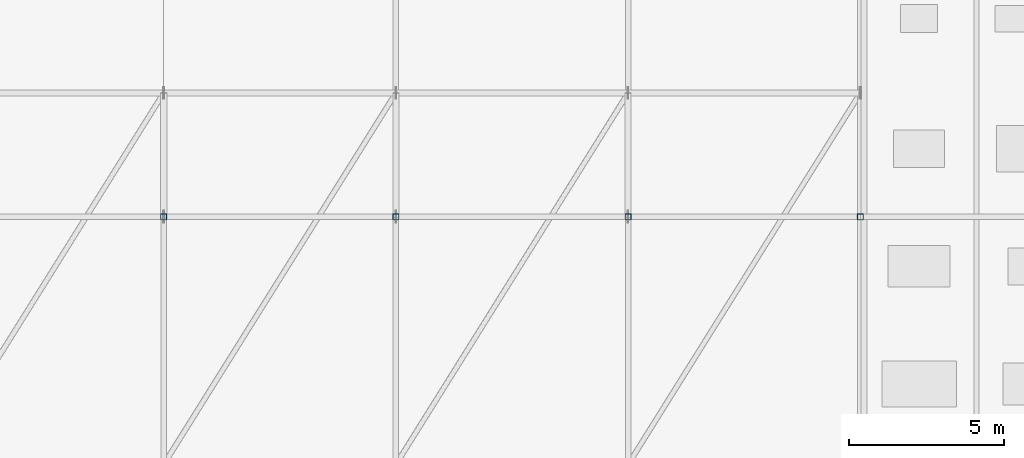
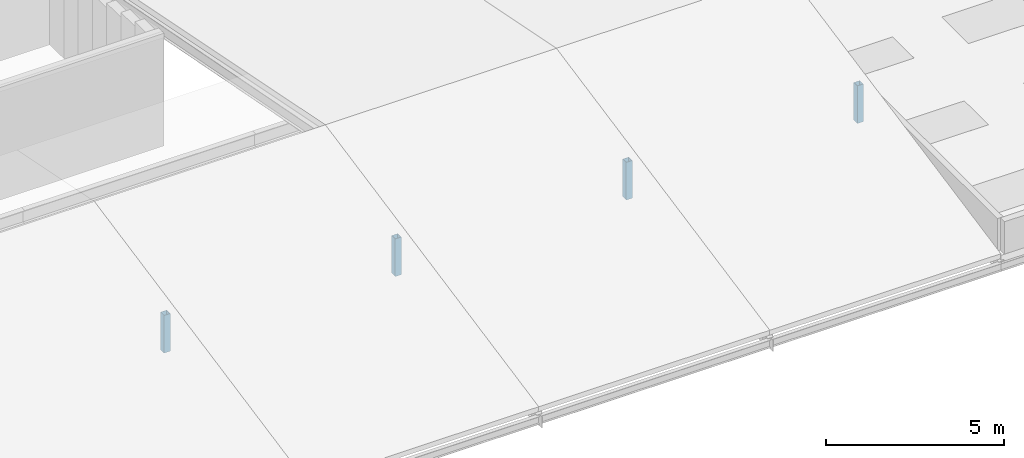
# One storey, part 8 of 93: 4 columns.
"""IFC4 building model written with IfcOpenShell, lengths in metres."""

from ifc_helpers import new_model, si_unit, direction, frame, origin, origin_2d, place, context, subcontext, project, spatial, hollow_rectangle, extrude, material, material_profile, profile_set, type_object, element, save


model = new_model("IFC4")

# Units and contexts
model_context = context("Model", 3, precision=1e-05, world=origin(), true_north=direction((0.0, 1.0)))
body_context = subcontext(model_context, "Body", "Model", "MODEL_VIEW")
ifc_project = project(units=[si_unit("LENGTHUNIT", "METRE"), si_unit("AREAUNIT", "SQUARE_METRE"), si_unit("VOLUMEUNIT", "CUBIC_METRE"), si_unit("PLANEANGLEUNIT", "RADIAN"), si_unit("MASSUNIT", "GRAM", prefix="KILO")], contexts=[model_context])

# Site, building, storey
site_placement = place(None, origin())
site = spatial("IfcSite", under=ifc_project, at=site_placement, CompositionType="ELEMENT")
building_placement = place(site_placement, origin())
building = spatial("IfcBuilding", under=site, at=building_placement, Name="Vourika Railside Aquatics Centre", CompositionType="ELEMENT")
storey_placement = place(building_placement, frame((0.0, 0.0, 21.89990234375)))
storey = spatial("IfcBuildingStorey", under=building, at=storey_placement, Name="Roof", CompositionType="ELEMENT", Elevation=21.89990234375)

# Columns
ifc_material = material(Name="Steel S355J2", Category="steel")
ifc_material_profile = material_profile(ifc_material, hollow_rectangle(XDim=0.199951171875, YDim=0.199951171875, WallThickness=0.010009765625, at=origin_2d()), Name="SHS 200x200x10")
ifc_profile_set = profile_set([ifc_material_profile], Name="Steel S355J2")
column_type = type_object("IfcColumnType", Name="COL-STL-SHS200", PredefinedType="COLUMN", material=ifc_profile_set)
for number, where, z_axis, x_axis, name in (
    (1, (51.0, 100.0, -0.239990234375), (0.0, 0.0, 1.0), (1.0, 0.0, 0.0), "Fitness Roof King Post V5KP-51.0"),
    (2, (58.5, 100.0, -0.239990234375), (0.0, 0.0, 1.0), (1.0, 0.0, 0.0), "Fitness Roof King Post V5KP-58.5"),
    (3, (66.0, 100.0, -0.239990234375), (0.0, 0.0, 1.0), (1.0, 0.0, 0.0), "Fitness Roof King Post V5KP-66.0"),
    (4, (73.5, 100.0, -0.239990234375), (0.0, 0.0, 1.0), (1.0, 0.0, 0.0), "Fitness Roof King Post V5KP-73.5"),
):
    element("IfcColumn", number, at=place(storey_placement, frame(where, z_axis=z_axis, x_axis=x_axis)), inside=storey, type_object=column_type, Name=name, PredefinedType="COLUMN", context=body_context, shape_type="SweptSolid", body=[
        extrude(hollow_rectangle(XDim=0.199951171875, YDim=0.199951171875, WallThickness=0.010009765625, at=origin_2d()), origin(), (0.0, 0.0, 1.0), 1.2900390625),
    ])

save(model, "model.ifc")
